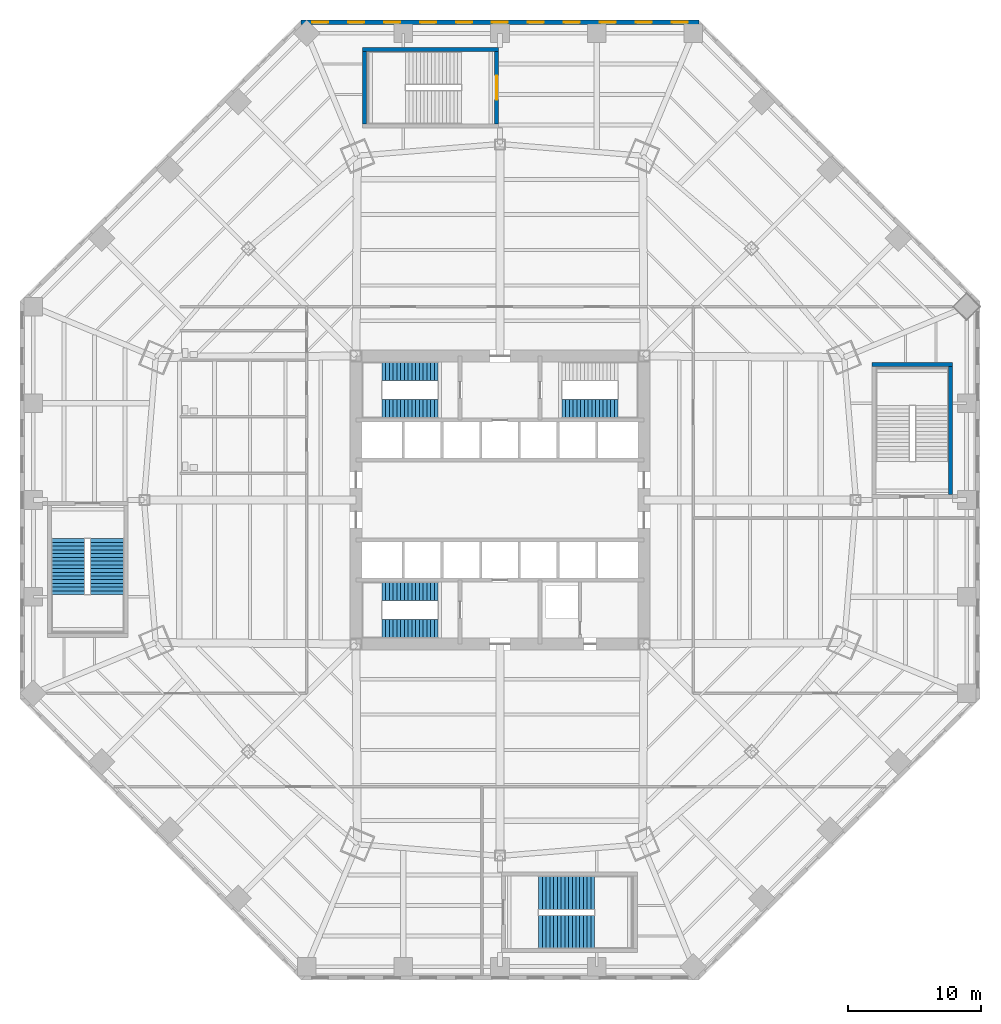
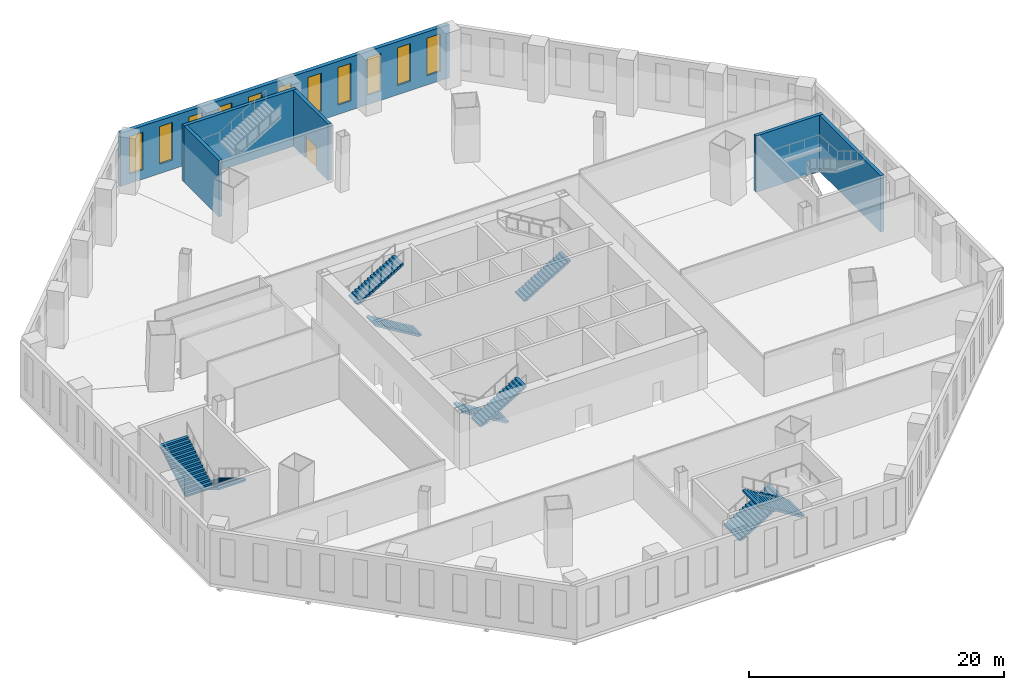
# One storey, part 13 of 18: 11 windows, 9 stair flights, 6 walls, 1 door, 12 openings, 5 elements without a shape of their own.
"""IFC4 building model written with IfcOpenShell, lengths in metres."""

from ifc_helpers import new_model, si_unit, direction, frame, frame_2d, origin, place, context, subcontext, project, spatial, polyline, rectangle, outline, extrude, material, layer, layer_set, type_object, element, fill, aggregate, save


model = new_model("IFC4")

# Units and contexts
model_context = context("Model", 3, precision=1e-05, world=origin(), true_north=direction((0.0, 1.0)))
body_context = subcontext(model_context, "Body", "Model", "MODEL_VIEW")
ifc_project = project(units=[si_unit("LENGTHUNIT", "METRE"), si_unit("AREAUNIT", "SQUARE_METRE"), si_unit("VOLUMEUNIT", "CUBIC_METRE"), si_unit("PLANEANGLEUNIT", "RADIAN"), si_unit("MASSUNIT", "GRAM", prefix="KILO")], contexts=[model_context])

# Site, building, storey
site_placement = place(None, origin())
site = spatial("IfcSite", under=ifc_project, at=site_placement, CompositionType="ELEMENT")
building_placement = place(site_placement, origin())
building = spatial("IfcBuilding", under=site, at=building_placement, Name="Mashrafa Tower", CompositionType="ELEMENT")
storey_placement = place(building_placement, frame((0.0, 0.0, 18.60009765625)))
storey = spatial("IfcBuildingStorey", under=building, at=storey_placement, Name="L03", CompositionType="ELEMENT", Elevation=18.60009765625)

# Wall, openings, windows
ifc_material_1 = material(Name="Riyadh limestone cladding on blockwork", Category="masonry")
ifc_layer_1 = layer(ifc_material_1, 0.35009765625)
ifc_layer_set_1 = layer_set([ifc_layer_1], Name="Limestone-clad external wall 350")
wall_type_1 = type_object("IfcWallType", Name="Limestone-clad external wall 350", PredefinedType="SOLIDWALL", material=ifc_layer_set_1)
wall_1_placement = place(storey_placement, frame((14.91162109375, 35.824951171875, 0.0), z_axis=(0.0, 0.0, 1.0), x_axis=(-1.0, 0.0, 0.0)))
wall_1 = element("IfcWall", 1, at=wall_1_placement, inside=storey, type_object=wall_type_1, Name="Limestone-clad external wall L03 north", PredefinedType="SOLIDWALL", context=body_context, shape_type="SweptSolid", body=[
    extrude(rectangle(XDim=29.8232421875, YDim=0.35009765625, at=frame_2d((14.91162109375, 0.0))), origin(), (0.0, 0.0, 1.0), 5.099853515625),
])
opening_1_placement = place(wall_1_placement, frame((0.821533203125, 0.0, 0.89990234375)))
opening_1 = element("IfcOpeningElement", 2, at=opening_1_placement, cuts=wall_1, Name="Opening W2", PredefinedType="OPENING", context=body_context, shape_type="SweptSolid", body=[
    extrude(rectangle(XDim=1.199951171875, YDim=3.60009765625, at=frame_2d((0.60009765625, 1.800048828125))), frame((0.0, 0.18505859375, 0.0), z_axis=(0.0, -1.0, 0.0), x_axis=(1.0, 0.0, 0.0)), (0.0, 0.0, 1.0), 0.3701171875),
])
opening_2_placement = place(wall_1_placement, frame((3.51953125, 0.0, 0.89990234375)))
opening_2 = element("IfcOpeningElement", 3, at=opening_2_placement, cuts=wall_1, Name="Opening W2", PredefinedType="OPENING", context=body_context, shape_type="SweptSolid", body=[
    extrude(rectangle(XDim=1.199951171875, YDim=3.60009765625, at=frame_2d((0.60009765625, 1.800048828125))), frame((0.0, 0.18505859375, 0.0), z_axis=(0.0, -1.0, 0.0), x_axis=(1.0, 0.0, 0.0)), (0.0, 0.0, 1.0), 0.3701171875),
])
opening_3_placement = place(wall_1_placement, frame((6.217529296875, 0.0, 0.89990234375)))
opening_3 = element("IfcOpeningElement", 4, at=opening_3_placement, cuts=wall_1, Name="Opening W2", PredefinedType="OPENING", context=body_context, shape_type="SweptSolid", body=[
    extrude(rectangle(XDim=1.199951171875, YDim=3.60009765625, at=frame_2d((0.60009765625, 1.800048828125))), frame((0.0, 0.18505859375, 0.0), z_axis=(0.0, -1.0, 0.0), x_axis=(1.0, 0.0, 0.0)), (0.0, 0.0, 1.0), 0.3701171875),
])
opening_4_placement = place(wall_1_placement, frame((8.91552734375, 0.0, 0.89990234375)))
opening_4 = element("IfcOpeningElement", 5, at=opening_4_placement, cuts=wall_1, Name="Opening W2", PredefinedType="OPENING", context=body_context, shape_type="SweptSolid", body=[
    extrude(rectangle(XDim=1.199951171875, YDim=3.60009765625, at=frame_2d((0.60009765625, 1.800048828125))), frame((0.0, 0.18505859375, 0.0), z_axis=(0.0, -1.0, 0.0), x_axis=(1.0, 0.0, 0.0)), (0.0, 0.0, 1.0), 0.3701171875),
])
opening_5_placement = place(wall_1_placement, frame((11.61376953125, 0.0, 0.89990234375)))
opening_5 = element("IfcOpeningElement", 6, at=opening_5_placement, cuts=wall_1, Name="Opening W2", PredefinedType="OPENING", context=body_context, shape_type="SweptSolid", body=[
    extrude(rectangle(XDim=1.199951171875, YDim=3.60009765625, at=frame_2d((0.60009765625, 1.800048828125))), frame((0.0, 0.18505859375, 0.0), z_axis=(0.0, -1.0, 0.0), x_axis=(1.0, 0.0, 0.0)), (0.0, 0.0, 1.0), 0.3701171875),
])
opening_6_placement = place(wall_1_placement, frame((14.311767578125, 0.0, 0.89990234375)))
opening_6 = element("IfcOpeningElement", 7, at=opening_6_placement, cuts=wall_1, Name="Opening W2", PredefinedType="OPENING", context=body_context, shape_type="SweptSolid", body=[
    extrude(rectangle(XDim=1.199951171875, YDim=3.60009765625, at=frame_2d((0.60009765625, 1.800048828125))), frame((0.0, 0.18505859375, 0.0), z_axis=(0.0, -1.0, 0.0), x_axis=(1.0, 0.0, 0.0)), (0.0, 0.0, 1.0), 0.3701171875),
])
opening_7_placement = place(wall_1_placement, frame((17.009765625, 0.0, 0.89990234375)))
opening_7 = element("IfcOpeningElement", 8, at=opening_7_placement, cuts=wall_1, Name="Opening W2", PredefinedType="OPENING", context=body_context, shape_type="SweptSolid", body=[
    extrude(rectangle(XDim=1.199951171875, YDim=3.60009765625, at=frame_2d((0.60009765625, 1.800048828125))), frame((0.0, 0.18505859375, 0.0), z_axis=(0.0, -1.0, 0.0), x_axis=(1.0, 0.0, 0.0)), (0.0, 0.0, 1.0), 0.3701171875),
])
opening_8_placement = place(wall_1_placement, frame((19.707763671875, 0.0, 0.89990234375)))
opening_8 = element("IfcOpeningElement", 9, at=opening_8_placement, cuts=wall_1, Name="Opening W2", PredefinedType="OPENING", context=body_context, shape_type="SweptSolid", body=[
    extrude(rectangle(XDim=1.199951171875, YDim=3.60009765625, at=frame_2d((0.60009765625, 1.800048828125))), frame((0.0, 0.18505859375, 0.0), z_axis=(0.0, -1.0, 0.0), x_axis=(1.0, 0.0, 0.0)), (0.0, 0.0, 1.0), 0.3701171875),
])
opening_9_placement = place(wall_1_placement, frame((22.40576171875, 0.0, 0.89990234375)))
opening_9 = element("IfcOpeningElement", 10, at=opening_9_placement, cuts=wall_1, Name="Opening W2", PredefinedType="OPENING", context=body_context, shape_type="SweptSolid", body=[
    extrude(rectangle(XDim=1.199951171875, YDim=3.60009765625, at=frame_2d((0.60009765625, 1.800048828125))), frame((0.0, 0.18505859375, 0.0), z_axis=(0.0, -1.0, 0.0), x_axis=(1.0, 0.0, 0.0)), (0.0, 0.0, 1.0), 0.3701171875),
])
opening_10_placement = place(wall_1_placement, frame((25.103759765625, 0.0, 0.89990234375)))
opening_10 = element("IfcOpeningElement", 11, at=opening_10_placement, cuts=wall_1, Name="Opening W2", PredefinedType="OPENING", context=body_context, shape_type="SweptSolid", body=[
    extrude(rectangle(XDim=1.199951171875, YDim=3.60009765625, at=frame_2d((0.60009765625, 1.800048828125))), frame((0.0, 0.18505859375, 0.0), z_axis=(0.0, -1.0, 0.0), x_axis=(1.0, 0.0, 0.0)), (0.0, 0.0, 1.0), 0.3701171875),
])
opening_11_placement = place(wall_1_placement, frame((27.8017578125, 0.0, 0.89990234375)))
opening_11 = element("IfcOpeningElement", 12, at=opening_11_placement, cuts=wall_1, Name="Opening W2", PredefinedType="OPENING", context=body_context, shape_type="SweptSolid", body=[
    extrude(rectangle(XDim=1.199951171875, YDim=3.60009765625, at=frame_2d((0.60009765625, 1.800048828125))), frame((0.0, 0.18505859375, 0.0), z_axis=(0.0, -1.0, 0.0), x_axis=(1.0, 0.0, 0.0)), (0.0, 0.0, 1.0), 0.3701171875),
])
ifc_material_2 = material(Name="Bronze-framed insulated glazing", Category="glass")
window_type = type_object("IfcWindowType", Name="Tall punched window 1200 x 3600", PartitioningType="DOUBLE_PANEL_HORIZONTAL", PredefinedType="WINDOW", material=ifc_material_2)
window_1_placement = place(opening_1_placement, origin())
window_1 = element("IfcWindow", 13, at=window_1_placement, inside=storey, type_object=window_type, Name="Window W2 L03 north bay 1", OverallHeight=3.60009765625, OverallWidth=1.199951171875, PartitioningType="SINGLE_PANEL", PredefinedType="WINDOW", context=body_context, shape_type="SweptSolid", body=[
    extrude(rectangle(XDim=1.199951171875, YDim=3.60009765625, at=frame_2d((0.60009765625, 1.800048828125))), frame((0.0, 0.030029296875, 0.0), z_axis=(0.0, -1.0, 0.0), x_axis=(1.0, 0.0, 0.0)), (0.0, 0.0, 1.0), 0.06005859375),
])
fill(opening_1, window_1)
window_2_placement = place(opening_2_placement, origin())
window_2 = element("IfcWindow", 14, at=window_2_placement, inside=storey, type_object=window_type, Name="Window W2 L03 north bay 2", OverallHeight=3.60009765625, OverallWidth=1.199951171875, PartitioningType="SINGLE_PANEL", PredefinedType="WINDOW", context=body_context, shape_type="SweptSolid", body=[
    extrude(rectangle(XDim=1.199951171875, YDim=3.60009765625, at=frame_2d((0.60009765625, 1.800048828125))), frame((0.0, 0.030029296875, 0.0), z_axis=(0.0, -1.0, 0.0), x_axis=(1.0, 0.0, 0.0)), (0.0, 0.0, 1.0), 0.06005859375),
])
fill(opening_2, window_2)
window_3_placement = place(opening_3_placement, origin())
window_3 = element("IfcWindow", 15, at=window_3_placement, inside=storey, type_object=window_type, Name="Window W2 L03 north bay 3", OverallHeight=3.60009765625, OverallWidth=1.199951171875, PartitioningType="SINGLE_PANEL", PredefinedType="WINDOW", context=body_context, shape_type="SweptSolid", body=[
    extrude(rectangle(XDim=1.199951171875, YDim=3.60009765625, at=frame_2d((0.60009765625, 1.800048828125))), frame((0.0, 0.030029296875, 0.0), z_axis=(0.0, -1.0, 0.0), x_axis=(1.0, 0.0, 0.0)), (0.0, 0.0, 1.0), 0.06005859375),
])
fill(opening_3, window_3)
window_4_placement = place(opening_4_placement, origin())
window_4 = element("IfcWindow", 16, at=window_4_placement, inside=storey, type_object=window_type, Name="Window W2 L03 north bay 4", OverallHeight=3.60009765625, OverallWidth=1.199951171875, PartitioningType="SINGLE_PANEL", PredefinedType="WINDOW", context=body_context, shape_type="SweptSolid", body=[
    extrude(rectangle(XDim=1.199951171875, YDim=3.60009765625, at=frame_2d((0.60009765625, 1.800048828125))), frame((0.0, 0.030029296875, 0.0), z_axis=(0.0, -1.0, 0.0), x_axis=(1.0, 0.0, 0.0)), (0.0, 0.0, 1.0), 0.06005859375),
])
fill(opening_4, window_4)
window_5_placement = place(opening_5_placement, origin())
window_5 = element("IfcWindow", 17, at=window_5_placement, inside=storey, type_object=window_type, Name="Window W2 L03 north bay 5", OverallHeight=3.60009765625, OverallWidth=1.199951171875, PartitioningType="SINGLE_PANEL", PredefinedType="WINDOW", context=body_context, shape_type="SweptSolid", body=[
    extrude(rectangle(XDim=1.199951171875, YDim=3.60009765625, at=frame_2d((0.60009765625, 1.800048828125))), frame((0.0, 0.030029296875, 0.0), z_axis=(0.0, -1.0, 0.0), x_axis=(1.0, 0.0, 0.0)), (0.0, 0.0, 1.0), 0.06005859375),
])
fill(opening_5, window_5)
window_6_placement = place(opening_6_placement, origin())
window_6 = element("IfcWindow", 18, at=window_6_placement, inside=storey, type_object=window_type, Name="Window W2 L03 north bay 6", OverallHeight=3.60009765625, OverallWidth=1.199951171875, PartitioningType="SINGLE_PANEL", PredefinedType="WINDOW", context=body_context, shape_type="SweptSolid", body=[
    extrude(rectangle(XDim=1.199951171875, YDim=3.60009765625, at=frame_2d((0.60009765625, 1.800048828125))), frame((0.0, 0.030029296875, 0.0), z_axis=(0.0, -1.0, 0.0), x_axis=(1.0, 0.0, 0.0)), (0.0, 0.0, 1.0), 0.06005859375),
])
fill(opening_6, window_6)
window_7_placement = place(opening_7_placement, origin())
window_7 = element("IfcWindow", 19, at=window_7_placement, inside=storey, type_object=window_type, Name="Window W2 L03 north bay 7", OverallHeight=3.60009765625, OverallWidth=1.199951171875, PartitioningType="SINGLE_PANEL", PredefinedType="WINDOW", context=body_context, shape_type="SweptSolid", body=[
    extrude(rectangle(XDim=1.199951171875, YDim=3.60009765625, at=frame_2d((0.60009765625, 1.800048828125))), frame((0.0, 0.030029296875, 0.0), z_axis=(0.0, -1.0, 0.0), x_axis=(1.0, 0.0, 0.0)), (0.0, 0.0, 1.0), 0.06005859375),
])
fill(opening_7, window_7)
window_8_placement = place(opening_8_placement, origin())
window_8 = element("IfcWindow", 20, at=window_8_placement, inside=storey, type_object=window_type, Name="Window W2 L03 north bay 8", OverallHeight=3.60009765625, OverallWidth=1.199951171875, PartitioningType="SINGLE_PANEL", PredefinedType="WINDOW", context=body_context, shape_type="SweptSolid", body=[
    extrude(rectangle(XDim=1.199951171875, YDim=3.60009765625, at=frame_2d((0.60009765625, 1.800048828125))), frame((0.0, 0.030029296875, 0.0), z_axis=(0.0, -1.0, 0.0), x_axis=(1.0, 0.0, 0.0)), (0.0, 0.0, 1.0), 0.06005859375),
])
fill(opening_8, window_8)
window_9_placement = place(opening_9_placement, origin())
window_9 = element("IfcWindow", 21, at=window_9_placement, inside=storey, type_object=window_type, Name="Window W2 L03 north bay 9", OverallHeight=3.60009765625, OverallWidth=1.199951171875, PartitioningType="SINGLE_PANEL", PredefinedType="WINDOW", context=body_context, shape_type="SweptSolid", body=[
    extrude(rectangle(XDim=1.199951171875, YDim=3.60009765625, at=frame_2d((0.60009765625, 1.800048828125))), frame((0.0, 0.030029296875, 0.0), z_axis=(0.0, -1.0, 0.0), x_axis=(1.0, 0.0, 0.0)), (0.0, 0.0, 1.0), 0.06005859375),
])
fill(opening_9, window_9)
window_10_placement = place(opening_10_placement, origin())
window_10 = element("IfcWindow", 22, at=window_10_placement, inside=storey, type_object=window_type, Name="Window W2 L03 north bay 10", OverallHeight=3.60009765625, OverallWidth=1.199951171875, PartitioningType="SINGLE_PANEL", PredefinedType="WINDOW", context=body_context, shape_type="SweptSolid", body=[
    extrude(rectangle(XDim=1.199951171875, YDim=3.60009765625, at=frame_2d((0.60009765625, 1.800048828125))), frame((0.0, 0.030029296875, 0.0), z_axis=(0.0, -1.0, 0.0), x_axis=(1.0, 0.0, 0.0)), (0.0, 0.0, 1.0), 0.06005859375),
])
fill(opening_10, window_10)
window_11_placement = place(opening_11_placement, origin())
window_11 = element("IfcWindow", 23, at=window_11_placement, inside=storey, type_object=window_type, Name="Window W2 L03 north bay 11", OverallHeight=3.60009765625, OverallWidth=1.199951171875, PartitioningType="SINGLE_PANEL", PredefinedType="WINDOW", context=body_context, shape_type="SweptSolid", body=[
    extrude(rectangle(XDim=1.199951171875, YDim=3.60009765625, at=frame_2d((0.60009765625, 1.800048828125))), frame((0.0, 0.030029296875, 0.0), z_axis=(0.0, -1.0, 0.0), x_axis=(1.0, 0.0, 0.0)), (0.0, 0.0, 1.0), 0.06005859375),
])
fill(opening_11, window_11)

# Walls
ifc_material_3 = material(Name="Concrete C35/45", Category="concrete")
ifc_layer_2 = layer(ifc_material_3, 0.300048828125)
ifc_layer_set_2 = layer_set([ifc_layer_2], Name="Stair core wall 300 3 hr")
wall_type_2 = type_object("IfcWallType", Name="Stair core wall 300 3 hr", PredefinedType="SOLIDWALL", material=ifc_layer_set_2)
wall_2_placement = place(storey_placement, frame((33.949951171875, 10.14990234375, 0.0), z_axis=(0.0, 0.0, 1.0), x_axis=(-1.0, 0.0, 0.0)))
element("IfcWall", 24, at=wall_2_placement, inside=storey, type_object=wall_type_2, Name="Stair P1 core wall N L03", PredefinedType="SOLIDWALL", context=body_context, shape_type="SweptSolid", body=[
    extrude(rectangle(XDim=6.050048828125, YDim=0.300048828125, at=frame_2d((3.02490234375, 0.0))), origin(), (0.0, 0.0, 1.0), 5.39990234375),
])
wall_3_placement = place(storey_placement, frame((33.800048828125, 0.39990234375, 0.0), z_axis=(0.0, 0.0, 1.0), x_axis=(0.0, 1.0, 0.0)))
element("IfcWall", 25, at=wall_3_placement, inside=storey, type_object=wall_type_2, Name="Stair P1 core wall E L03", PredefinedType="SOLIDWALL", context=body_context, shape_type="SweptSolid", body=[
    extrude(rectangle(XDim=9.60009765625, YDim=0.300048828125, at=frame_2d((4.800048828125, 0.0))), origin(), (0.0, 0.0, 1.0), 5.39990234375),
])
wall_4_placement = place(storey_placement, frame((-0.10009765625, 33.800048828125, 0.0), z_axis=(0.0, 0.0, 1.0), x_axis=(-1.0, 0.0, 0.0)))
element("IfcWall", 26, at=wall_4_placement, inside=storey, type_object=wall_type_2, Name="Stair P2 core wall N L03", PredefinedType="SOLIDWALL", context=body_context, shape_type="SweptSolid", body=[
    extrude(rectangle(XDim=10.199951171875, YDim=0.300048828125, at=frame_2d((5.10009765625, 0.0))), origin(), (0.0, 0.0, 1.0), 5.39990234375),
])
wall_5_placement = place(storey_placement, frame((-10.14990234375, 33.64990234375, 0.0), z_axis=(0.0, 0.0, 1.0), x_axis=(0.0, -1.0, 0.0)))
element("IfcWall", 27, at=wall_5_placement, inside=storey, type_object=wall_type_2, Name="Stair P2 core wall W L03", PredefinedType="SOLIDWALL", context=body_context, shape_type="SweptSolid", body=[
    extrude(rectangle(XDim=5.449951171875, YDim=0.300048828125, at=frame_2d((2.72509765625, 0.0))), origin(), (0.0, 0.0, 1.0), 5.39990234375),
])

# Wall, opening, door
wall_6_placement = place(storey_placement, frame((-0.25, 28.199951171875, 0.0), z_axis=(0.0, 0.0, 1.0), x_axis=(0.0, 1.0, 0.0)))
wall_6 = element("IfcWall", 28, at=wall_6_placement, inside=storey, type_object=wall_type_2, Name="Stair P2 core wall E L03", PredefinedType="SOLIDWALL", context=body_context, shape_type="SweptSolid", body=[
    extrude(rectangle(XDim=5.449951171875, YDim=0.300048828125, at=frame_2d((2.72509765625, 0.0))), origin(), (0.0, 0.0, 1.0), 5.39990234375),
])
opening_12_placement = place(wall_6_placement, frame((1.824951171875, 0.0, 0.0)))
opening_12 = element("IfcOpeningElement", 29, at=opening_12_placement, cuts=wall_6, Name="Opening 03.025", PredefinedType="OPENING", context=body_context, shape_type="SweptSolid", body=[
    extrude(rectangle(XDim=1.800048828125, YDim=2.10009765625, at=frame_2d((0.89990234375, 1.050048828125))), frame((0.0, 0.159912109375, 0.0), z_axis=(0.0, -1.0, 0.0), x_axis=(1.0, 0.0, 0.0)), (0.0, 0.0, 1.0), 0.320068359375),
])
ifc_material_4 = material(Name="Steel door", Category="steel")
door_type = type_object("IfcDoorType", Name="Stair door pair 1800 x 2100 90 min", OperationType="DOUBLE_DOOR_SINGLE_SWING", PredefinedType="DOOR", material=ifc_material_4)
door_placement = place(opening_12_placement, origin())
door = element("IfcDoor", 30, at=door_placement, inside=storey, type_object=door_type, Name="Stair P2 door L03", OperationType="DOUBLE_DOOR_SINGLE_SWING", OverallHeight=2.10009765625, OverallWidth=1.800048828125, PredefinedType="DOOR", context=body_context, shape_type="SweptSolid", body=[
    extrude(rectangle(XDim=1.800048828125, YDim=2.10009765625, at=frame_2d((0.89990234375, 1.050048828125))), frame((0.0, 0.02490234375, 0.0), z_axis=(0.0, -1.0, 0.0), x_axis=(1.0, 0.0, 0.0)), (0.0, 0.0, 1.0), 0.050048828125),
])
fill(opening_12, door)

# Stair, stair flights
ifc_material_5 = material(Name="Exit stair 1400")
stair_type_1 = type_object("IfcStairType", Name="Exit stair 1400", PredefinedType="HALF_TURN_STAIR", material=ifc_material_5)
stair_1_placement = place(storey_placement, origin())
stair_1 = element("IfcStair", 31, at=stair_1_placement, inside=storey, type_object=stair_type_1, Name="Stair S1 L03", PredefinedType="HALF_TURN_STAIR")
ifc_material_6 = material(Name="Concrete C32/40", Category="concrete")
stair_flight_type_1 = type_object("IfcStairFlightType", Name="Stair flight 1400", PredefinedType="STRAIGHT", material=ifc_material_6)
stair_flight_1_placement = place(storey_placement, frame((-4.64990234375, 6.85009765625, 0.0), z_axis=(0.0, 0.0, 1.0), x_axis=(-1.0, 0.0, 0.0)))
stair_flight_1 = element("IfcStairFlight", 32, at=stair_flight_1_placement, type_object=stair_flight_type_1, Name="S1 flight 1", NumberOfRisers=16, NumberOfTreads=15, PredefinedType="STRAIGHT", RiserHeight=0.16875, TreadLength=0.28, context=body_context, shape_type="SweptSolid", body=[
    extrude(outline(polyline([(0.0, 0.0), (0.0, 0.168701171875), (0.280029296875, 0.168701171875), (0.280029296875, 0.33740234375), (0.56005859375, 0.33740234375), (0.56005859375, 0.50634765625), (0.840087890625, 0.50634765625), (0.840087890625, 0.675048828125), (1.1201171875, 0.675048828125), (1.1201171875, 0.84375), (1.39990234375, 0.84375), (1.39990234375, 1.012451171875), (1.679931640625, 1.012451171875), (1.679931640625, 1.18115234375), (1.9599609375, 1.18115234375), (1.9599609375, 1.35009765625), (2.239990234375, 1.35009765625), (2.239990234375, 1.518798828125), (2.52001953125, 1.518798828125), (2.52001953125, 1.6875), (2.800048828125, 1.6875), (2.800048828125, 1.856201171875), (3.080078125, 1.856201171875), (3.080078125, 2.02490234375), (3.360107421875, 2.02490234375), (3.360107421875, 2.19384765625), (3.639892578125, 2.19384765625), (3.639892578125, 2.362548828125), (3.919921875, 2.362548828125), (3.919921875, 2.53125), (4.199951171875, 2.53125), (4.199951171875, 2.699951171875), (4.199951171875, 2.356201171875), (0.29052734375, 0.0), (0.0, 0.0)])), frame((0.0, 0.699951171875, 0.0), z_axis=(0.0, -1.0, 0.0), x_axis=(1.0, 0.0, 0.0)), (0.0, 0.0, 1.0), 1.39990234375),
])
stair_flight_2_placement = place(storey_placement, frame((-8.85009765625, 9.64990234375, 2.699951171875), z_axis=(0.0, 0.0, 1.0), x_axis=(1.0, 0.0, 0.0)))
stair_flight_2 = element("IfcStairFlight", 33, at=stair_flight_2_placement, type_object=stair_flight_type_1, Name="S1 flight 2", NumberOfRisers=16, NumberOfTreads=15, PredefinedType="STRAIGHT", RiserHeight=0.16875, TreadLength=0.28, context=body_context, shape_type="SweptSolid", body=[
    extrude(outline(polyline([(0.0, 0.0), (0.0, 0.168701171875), (0.280029296875, 0.168701171875), (0.280029296875, 0.33740234375), (0.56005859375, 0.33740234375), (0.56005859375, 0.50634765625), (0.840087890625, 0.50634765625), (0.840087890625, 0.675048828125), (1.1201171875, 0.675048828125), (1.1201171875, 0.84375), (1.39990234375, 0.84375), (1.39990234375, 1.012451171875), (1.679931640625, 1.012451171875), (1.679931640625, 1.18115234375), (1.9599609375, 1.18115234375), (1.9599609375, 1.35009765625), (2.239990234375, 1.35009765625), (2.239990234375, 1.518798828125), (2.52001953125, 1.518798828125), (2.52001953125, 1.6875), (2.800048828125, 1.6875), (2.800048828125, 1.856201171875), (3.080078125, 1.856201171875), (3.080078125, 2.02490234375), (3.360107421875, 2.02490234375), (3.360107421875, 2.19384765625), (3.639892578125, 2.19384765625), (3.639892578125, 2.362548828125), (3.919921875, 2.362548828125), (3.919921875, 2.53125), (4.199951171875, 2.53125), (4.199951171875, 2.699951171875), (4.199951171875, 2.356201171875), (0.29052734375, 0.0), (0.0, 0.0)])), frame((0.0, 0.699951171875, 0.0), z_axis=(0.0, -1.0, 0.0), x_axis=(1.0, 0.0, 0.0)), (0.0, 0.0, 1.0), 1.39990234375),
])
aggregate(stair_1, [stair_flight_1, stair_flight_2])

# Stair, stair flight
stair_2_placement = place(storey_placement, origin())
stair_2 = element("IfcStair", 34, at=stair_2_placement, inside=storey, type_object=stair_type_1, Name="Stair S2 L03", PredefinedType="HALF_TURN_STAIR")
stair_flight_3_placement = place(storey_placement, frame((4.64990234375, 6.85009765625, 0.0), z_axis=(0.0, 0.0, 1.0), x_axis=(1.0, 0.0, 0.0)))
stair_flight_3 = element("IfcStairFlight", 35, at=stair_flight_3_placement, type_object=stair_flight_type_1, Name="S2 flight 1", NumberOfRisers=16, NumberOfTreads=15, PredefinedType="STRAIGHT", RiserHeight=0.16875, TreadLength=0.28, context=body_context, shape_type="SweptSolid", body=[
    extrude(outline(polyline([(0.0, 0.0), (0.0, 0.168701171875), (0.280029296875, 0.168701171875), (0.280029296875, 0.33740234375), (0.56005859375, 0.33740234375), (0.56005859375, 0.50634765625), (0.840087890625, 0.50634765625), (0.840087890625, 0.675048828125), (1.1201171875, 0.675048828125), (1.1201171875, 0.84375), (1.39990234375, 0.84375), (1.39990234375, 1.012451171875), (1.679931640625, 1.012451171875), (1.679931640625, 1.18115234375), (1.9599609375, 1.18115234375), (1.9599609375, 1.35009765625), (2.239990234375, 1.35009765625), (2.239990234375, 1.518798828125), (2.52001953125, 1.518798828125), (2.52001953125, 1.6875), (2.800048828125, 1.6875), (2.800048828125, 1.856201171875), (3.080078125, 1.856201171875), (3.080078125, 2.02490234375), (3.360107421875, 2.02490234375), (3.360107421875, 2.19384765625), (3.639892578125, 2.19384765625), (3.639892578125, 2.362548828125), (3.919921875, 2.362548828125), (3.919921875, 2.53125), (4.199951171875, 2.53125), (4.199951171875, 2.699951171875), (4.199951171875, 2.356201171875), (0.29052734375, 0.0), (0.0, 0.0)])), frame((0.0, 0.699951171875, 0.0), z_axis=(0.0, -1.0, 0.0), x_axis=(1.0, 0.0, 0.0)), (0.0, 0.0, 1.0), 1.39990234375),
])
aggregate(stair_2, [stair_flight_3])

# Stair, stair flights
stair_3_placement = place(storey_placement, origin())
stair_3 = element("IfcStair", 36, at=stair_3_placement, inside=storey, type_object=stair_type_1, Name="Stair S3 L03", PredefinedType="HALF_TURN_STAIR")
stair_flight_4_placement = place(storey_placement, frame((-4.64990234375, -6.85009765625, 0.0), z_axis=(0.0, 0.0, 1.0), x_axis=(-1.0, 0.0, 0.0)))
stair_flight_4 = element("IfcStairFlight", 37, at=stair_flight_4_placement, type_object=stair_flight_type_1, Name="S3 flight 1", NumberOfRisers=16, NumberOfTreads=15, PredefinedType="STRAIGHT", RiserHeight=0.16875, TreadLength=0.28, context=body_context, shape_type="SweptSolid", body=[
    extrude(outline(polyline([(0.0, 0.0), (0.0, 0.168701171875), (0.280029296875, 0.168701171875), (0.280029296875, 0.33740234375), (0.56005859375, 0.33740234375), (0.56005859375, 0.50634765625), (0.840087890625, 0.50634765625), (0.840087890625, 0.675048828125), (1.1201171875, 0.675048828125), (1.1201171875, 0.84375), (1.39990234375, 0.84375), (1.39990234375, 1.012451171875), (1.679931640625, 1.012451171875), (1.679931640625, 1.18115234375), (1.9599609375, 1.18115234375), (1.9599609375, 1.35009765625), (2.239990234375, 1.35009765625), (2.239990234375, 1.518798828125), (2.52001953125, 1.518798828125), (2.52001953125, 1.6875), (2.800048828125, 1.6875), (2.800048828125, 1.856201171875), (3.080078125, 1.856201171875), (3.080078125, 2.02490234375), (3.360107421875, 2.02490234375), (3.360107421875, 2.19384765625), (3.639892578125, 2.19384765625), (3.639892578125, 2.362548828125), (3.919921875, 2.362548828125), (3.919921875, 2.53125), (4.199951171875, 2.53125), (4.199951171875, 2.699951171875), (4.199951171875, 2.356201171875), (0.29052734375, 0.0), (0.0, 0.0)])), frame((0.0, 0.699951171875, 0.0), z_axis=(0.0, -1.0, 0.0), x_axis=(1.0, 0.0, 0.0)), (0.0, 0.0, 1.0), 1.39990234375),
])
stair_flight_5_placement = place(storey_placement, frame((-8.85009765625, -9.64990234375, 2.699951171875), z_axis=(0.0, 0.0, 1.0), x_axis=(1.0, 0.0, 0.0)))
stair_flight_5 = element("IfcStairFlight", 38, at=stair_flight_5_placement, type_object=stair_flight_type_1, Name="S3 flight 2", NumberOfRisers=16, NumberOfTreads=15, PredefinedType="STRAIGHT", RiserHeight=0.16875, TreadLength=0.28, context=body_context, shape_type="SweptSolid", body=[
    extrude(outline(polyline([(0.0, 0.0), (0.0, 0.168701171875), (0.280029296875, 0.168701171875), (0.280029296875, 0.33740234375), (0.56005859375, 0.33740234375), (0.56005859375, 0.50634765625), (0.840087890625, 0.50634765625), (0.840087890625, 0.675048828125), (1.1201171875, 0.675048828125), (1.1201171875, 0.84375), (1.39990234375, 0.84375), (1.39990234375, 1.012451171875), (1.679931640625, 1.012451171875), (1.679931640625, 1.18115234375), (1.9599609375, 1.18115234375), (1.9599609375, 1.35009765625), (2.239990234375, 1.35009765625), (2.239990234375, 1.518798828125), (2.52001953125, 1.518798828125), (2.52001953125, 1.6875), (2.800048828125, 1.6875), (2.800048828125, 1.856201171875), (3.080078125, 1.856201171875), (3.080078125, 2.02490234375), (3.360107421875, 2.02490234375), (3.360107421875, 2.19384765625), (3.639892578125, 2.19384765625), (3.639892578125, 2.362548828125), (3.919921875, 2.362548828125), (3.919921875, 2.53125), (4.199951171875, 2.53125), (4.199951171875, 2.699951171875), (4.199951171875, 2.356201171875), (0.29052734375, 0.0), (0.0, 0.0)])), frame((0.0, 0.699951171875, 0.0), z_axis=(0.0, -1.0, 0.0), x_axis=(1.0, 0.0, 0.0)), (0.0, 0.0, 1.0), 1.39990234375),
])
aggregate(stair_3, [stair_flight_4, stair_flight_5])

ifc_material_7 = material(Name="Exit stair 2500")
stair_type_2 = type_object("IfcStairType", Name="Exit stair 2500", PredefinedType="HALF_TURN_STAIR", material=ifc_material_7)
stair_4_placement = place(storey_placement, origin())
stair_4 = element("IfcStair", 39, at=stair_4_placement, inside=storey, type_object=stair_type_2, Name="Stair P3 L03", PredefinedType="HALF_TURN_STAIR")
ifc_material_8 = material(Name="Concrete C32/40", Category="concrete")
stair_flight_type_2 = type_object("IfcStairFlightType", Name="Stair flight 2500", PredefinedType="STRAIGHT", material=ifc_material_8)
stair_flight_6_placement = place(storey_placement, frame((-29.449951171875, -2.89990234375, 0.0), z_axis=(0.0, 0.0, 1.0), x_axis=(0.0, -1.0, 0.0)))
stair_flight_6 = element("IfcStairFlight", 40, at=stair_flight_6_placement, type_object=stair_flight_type_2, Name="P3 flight 1", NumberOfRisers=16, NumberOfTreads=15, PredefinedType="STRAIGHT", RiserHeight=0.16875, TreadLength=0.28, context=body_context, shape_type="SweptSolid", body=[
    extrude(outline(polyline([(0.0, 0.0), (0.0, 0.168701171875), (0.280029296875, 0.168701171875), (0.280029296875, 0.33740234375), (0.56005859375, 0.33740234375), (0.56005859375, 0.50634765625), (0.840087890625, 0.50634765625), (0.840087890625, 0.675048828125), (1.1201171875, 0.675048828125), (1.1201171875, 0.84375), (1.39990234375, 0.84375), (1.39990234375, 1.012451171875), (1.679931640625, 1.012451171875), (1.679931640625, 1.18115234375), (1.9599609375, 1.18115234375), (1.9599609375, 1.35009765625), (2.239990234375, 1.35009765625), (2.239990234375, 1.518798828125), (2.52001953125, 1.518798828125), (2.52001953125, 1.6875), (2.800048828125, 1.6875), (2.800048828125, 1.856201171875), (3.080078125, 1.856201171875), (3.080078125, 2.02490234375), (3.360107421875, 2.02490234375), (3.360107421875, 2.19384765625), (3.639892578125, 2.19384765625), (3.639892578125, 2.362548828125), (3.919921875, 2.362548828125), (3.919921875, 2.53125), (4.199951171875, 2.53125), (4.199951171875, 2.699951171875), (4.199951171875, 2.356201171875), (0.29052734375, 0.0), (0.0, 0.0)])), frame((0.0, 1.25, 0.0), z_axis=(0.0, -1.0, 0.0), x_axis=(1.0, 0.0, 0.0)), (0.0, 0.0, 1.0), 2.5),
])
stair_flight_7_placement = place(storey_placement, frame((-32.39990234375, -7.10009765625, 2.699951171875), z_axis=(0.0, 0.0, 1.0), x_axis=(0.0, 1.0, 0.0)))
stair_flight_7 = element("IfcStairFlight", 41, at=stair_flight_7_placement, type_object=stair_flight_type_2, Name="P3 flight 2", NumberOfRisers=16, NumberOfTreads=15, PredefinedType="STRAIGHT", RiserHeight=0.16875, TreadLength=0.28, context=body_context, shape_type="SweptSolid", body=[
    extrude(outline(polyline([(0.0, 0.0), (0.0, 0.168701171875), (0.280029296875, 0.168701171875), (0.280029296875, 0.33740234375), (0.56005859375, 0.33740234375), (0.56005859375, 0.50634765625), (0.840087890625, 0.50634765625), (0.840087890625, 0.675048828125), (1.1201171875, 0.675048828125), (1.1201171875, 0.84375), (1.39990234375, 0.84375), (1.39990234375, 1.012451171875), (1.679931640625, 1.012451171875), (1.679931640625, 1.18115234375), (1.9599609375, 1.18115234375), (1.9599609375, 1.35009765625), (2.239990234375, 1.35009765625), (2.239990234375, 1.518798828125), (2.52001953125, 1.518798828125), (2.52001953125, 1.6875), (2.800048828125, 1.6875), (2.800048828125, 1.856201171875), (3.080078125, 1.856201171875), (3.080078125, 2.02490234375), (3.360107421875, 2.02490234375), (3.360107421875, 2.19384765625), (3.639892578125, 2.19384765625), (3.639892578125, 2.362548828125), (3.919921875, 2.362548828125), (3.919921875, 2.53125), (4.199951171875, 2.53125), (4.199951171875, 2.699951171875), (4.199951171875, 2.356201171875), (0.29052734375, 0.0), (0.0, 0.0)])), frame((0.0, 1.25, 0.0), z_axis=(0.0, -1.0, 0.0), x_axis=(1.0, 0.0, 0.0)), (0.0, 0.0, 1.0), 2.5),
])
aggregate(stair_4, [stair_flight_6, stair_flight_7])

stair_5_placement = place(storey_placement, origin())
stair_5 = element("IfcStair", 42, at=stair_5_placement, inside=storey, type_object=stair_type_2, Name="Stair P4 L03", PredefinedType="HALF_TURN_STAIR")
stair_flight_8_placement = place(storey_placement, frame((2.89990234375, -29.449951171875, 0.0), z_axis=(0.0, 0.0, 1.0), x_axis=(1.0, 0.0, 0.0)))
stair_flight_8 = element("IfcStairFlight", 43, at=stair_flight_8_placement, type_object=stair_flight_type_2, Name="P4 flight 1", NumberOfRisers=16, NumberOfTreads=15, PredefinedType="STRAIGHT", RiserHeight=0.16875, TreadLength=0.28, context=body_context, shape_type="SweptSolid", body=[
    extrude(outline(polyline([(0.0, 0.0), (0.0, 0.168701171875), (0.280029296875, 0.168701171875), (0.280029296875, 0.33740234375), (0.56005859375, 0.33740234375), (0.56005859375, 0.50634765625), (0.840087890625, 0.50634765625), (0.840087890625, 0.675048828125), (1.1201171875, 0.675048828125), (1.1201171875, 0.84375), (1.39990234375, 0.84375), (1.39990234375, 1.012451171875), (1.679931640625, 1.012451171875), (1.679931640625, 1.18115234375), (1.9599609375, 1.18115234375), (1.9599609375, 1.35009765625), (2.239990234375, 1.35009765625), (2.239990234375, 1.518798828125), (2.52001953125, 1.518798828125), (2.52001953125, 1.6875), (2.800048828125, 1.6875), (2.800048828125, 1.856201171875), (3.080078125, 1.856201171875), (3.080078125, 2.02490234375), (3.360107421875, 2.02490234375), (3.360107421875, 2.19384765625), (3.639892578125, 2.19384765625), (3.639892578125, 2.362548828125), (3.919921875, 2.362548828125), (3.919921875, 2.53125), (4.199951171875, 2.53125), (4.199951171875, 2.699951171875), (4.199951171875, 2.356201171875), (0.29052734375, 0.0), (0.0, 0.0)])), frame((0.0, 1.25, 0.0), z_axis=(0.0, -1.0, 0.0), x_axis=(1.0, 0.0, 0.0)), (0.0, 0.0, 1.0), 2.5),
])
stair_flight_9_placement = place(storey_placement, frame((7.10009765625, -32.39990234375, 2.699951171875), z_axis=(0.0, 0.0, 1.0), x_axis=(-1.0, 0.0, 0.0)))
stair_flight_9 = element("IfcStairFlight", 44, at=stair_flight_9_placement, type_object=stair_flight_type_2, Name="P4 flight 2", NumberOfRisers=16, NumberOfTreads=15, PredefinedType="STRAIGHT", RiserHeight=0.16875, TreadLength=0.28, context=body_context, shape_type="SweptSolid", body=[
    extrude(outline(polyline([(0.0, 0.0), (0.0, 0.168701171875), (0.280029296875, 0.168701171875), (0.280029296875, 0.33740234375), (0.56005859375, 0.33740234375), (0.56005859375, 0.50634765625), (0.840087890625, 0.50634765625), (0.840087890625, 0.675048828125), (1.1201171875, 0.675048828125), (1.1201171875, 0.84375), (1.39990234375, 0.84375), (1.39990234375, 1.012451171875), (1.679931640625, 1.012451171875), (1.679931640625, 1.18115234375), (1.9599609375, 1.18115234375), (1.9599609375, 1.35009765625), (2.239990234375, 1.35009765625), (2.239990234375, 1.518798828125), (2.52001953125, 1.518798828125), (2.52001953125, 1.6875), (2.800048828125, 1.6875), (2.800048828125, 1.856201171875), (3.080078125, 1.856201171875), (3.080078125, 2.02490234375), (3.360107421875, 2.02490234375), (3.360107421875, 2.19384765625), (3.639892578125, 2.19384765625), (3.639892578125, 2.362548828125), (3.919921875, 2.362548828125), (3.919921875, 2.53125), (4.199951171875, 2.53125), (4.199951171875, 2.699951171875), (4.199951171875, 2.356201171875), (0.29052734375, 0.0), (0.0, 0.0)])), frame((0.0, 1.25, 0.0), z_axis=(0.0, -1.0, 0.0), x_axis=(1.0, 0.0, 0.0)), (0.0, 0.0, 1.0), 2.5),
])
aggregate(stair_5, [stair_flight_8, stair_flight_9])

save(model, "model.ifc")
